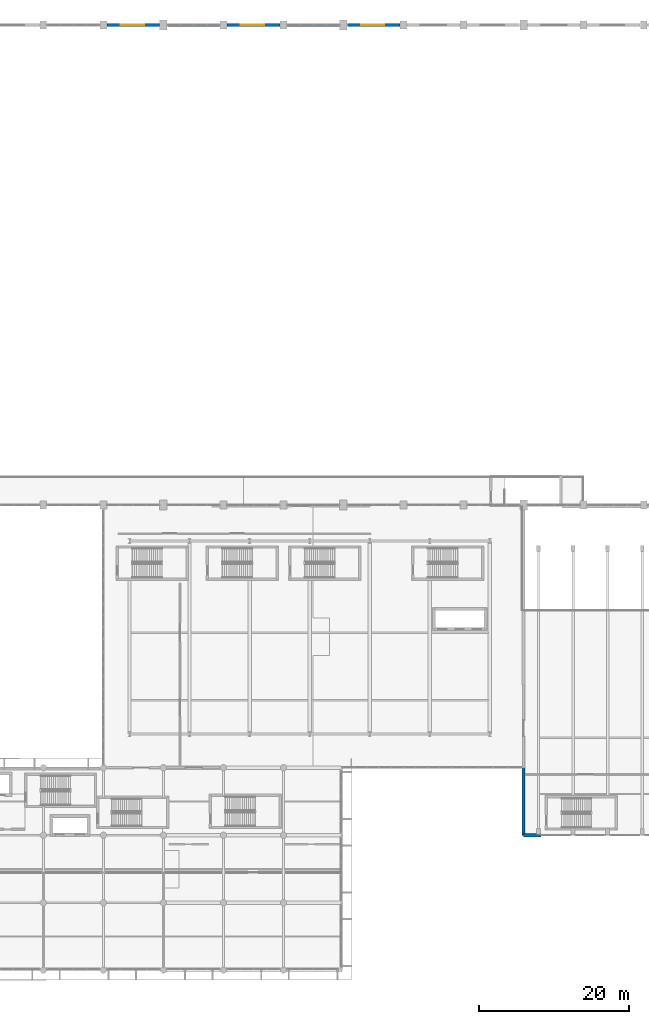
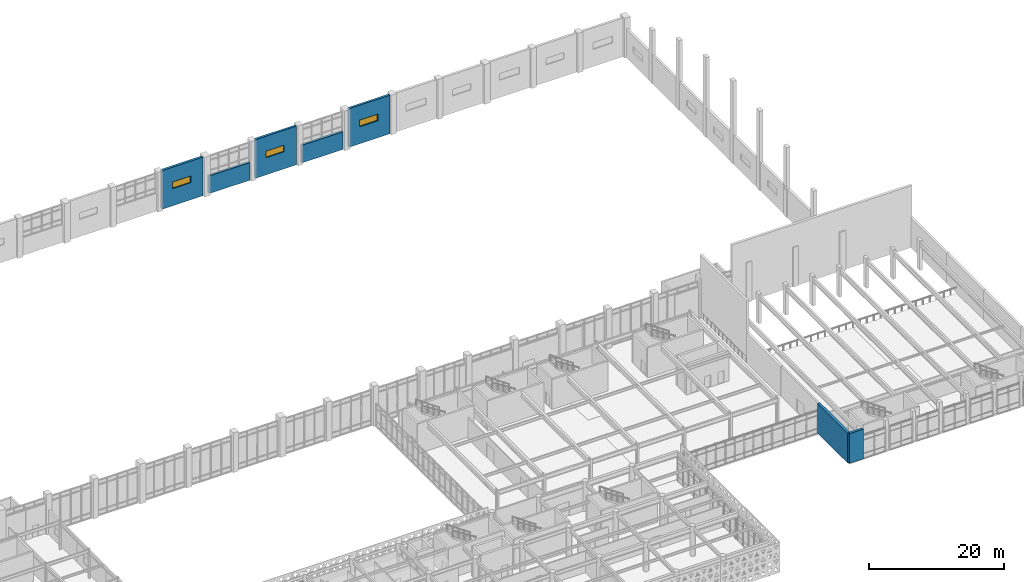
# One storey, part 67 of 84: 7 walls, 3 windows, 3 openings.
"""IFC4 building model written with IfcOpenShell, lengths in metres."""

from ifc_helpers import new_model, si_unit, direction, frame, frame_2d, origin, place, context, subcontext, project, spatial, rectangle, extrude, material, layer, layer_set, type_object, element, fill, save


model = new_model("IFC4")

# Units and contexts
model_context = context("Model", 3, precision=1e-05, world=origin(), true_north=direction((0.0, 1.0)))
body_context = subcontext(model_context, "Body", "Model", "MODEL_VIEW")
ifc_project = project(units=[si_unit("LENGTHUNIT", "METRE"), si_unit("AREAUNIT", "SQUARE_METRE"), si_unit("VOLUMEUNIT", "CUBIC_METRE"), si_unit("PLANEANGLEUNIT", "RADIAN"), si_unit("MASSUNIT", "GRAM", prefix="KILO")], contexts=[model_context])

# Site, building, storey
site_placement = place(None, origin())
site = spatial("IfcSite", under=ifc_project, at=site_placement, CompositionType="ELEMENT")
building_placement = place(site_placement, origin())
building = spatial("IfcBuilding", under=site, at=building_placement, Name="Tlacozan Convention Centre", CompositionType="ELEMENT")
storey_placement = place(building_placement, frame((0.0, 0.0, 6.0)))
storey = spatial("IfcBuildingStorey", under=building, at=storey_placement, Name="L01", CompositionType="ELEMENT", Elevation=6.0)

# Wall, opening, window
ifc_material_1 = material(Name="Concrete C40/50", Category="concrete")
ifc_layer_1 = layer(ifc_material_1, 0.39990234375)
ifc_layer_set_1 = layer_set([ifc_layer_1], Name="Concrete C40/50")
wall_type_1 = type_object("IfcWallType", Name="Cantera Structural Hall Wall 400", PredefinedType="SOLIDWALL", material=ifc_layer_set_1)
wall_1_placement = place(storey_placement, frame((88.465087890625, 126.0, 0.0), z_axis=(0.0, 0.0, 1.0), x_axis=(1.0, 0.0, 0.0)))
wall_1 = element("IfcWall", 1, at=wall_1_placement, inside=storey, type_object=wall_type_1, Name="L01 Cantera Structural Hall Wall 400 36", PredefinedType="SOLIDWALL", context=body_context, shape_type="SweptSolid", body=[
    extrude(rectangle(XDim=7.02001953125, YDim=0.39990234375, at=frame_2d((3.510009765625, 0.0))), origin(), (0.0, 0.0, 1.0), 7.0),
])
opening_1_placement = place(wall_1_placement, frame((1.85009765625, 0.0, 3.10009765625)))
opening_1 = element("IfcOpeningElement", 2, at=opening_1_placement, cuts=wall_1, Name="Opening WN-02", PredefinedType="OPENING", context=body_context, shape_type="SweptSolid", body=[
    extrude(rectangle(XDim=3.10009765625, YDim=1.199951171875, at=frame_2d((1.550048828125, 0.60009765625))), frame((0.0, 0.2099609375, 0.0), z_axis=(0.0, -1.0, 0.0), x_axis=(1.0, 0.0, 0.0)), (0.0, 0.0, 1.0), 0.419921875),
])
ifc_material_2 = material(Name="Solar Control Double Low-E Argon Glazing", Category="glass")
window_type = type_object("IfcWindowType", Name="Exhibition North Clerestory Window 3100x1200", PartitioningType="SINGLE_PANEL", PredefinedType="WINDOW", material=ifc_material_2)
window_1_placement = place(opening_1_placement, origin())
window_1 = element("IfcWindow", 3, at=window_1_placement, inside=storey, type_object=window_type, Name="L01 Exhibition North Clerestory Window 3100x1200 12", OverallHeight=1.199951171875, OverallWidth=3.10009765625, PartitioningType="SINGLE_PANEL", PredefinedType="WINDOW", context=body_context, shape_type="SweptSolid", body=[
    extrude(rectangle(XDim=3.10009765625, YDim=1.199951171875, at=frame_2d((1.550048828125, 0.60009765625))), frame((0.0, 0.030029296875, 0.0), z_axis=(0.0, -1.0, 0.0), x_axis=(1.0, 0.0, 0.0)), (0.0, 0.0, 1.0), 0.06005859375),
])
fill(opening_1, window_1)

# Wall
wall_2_placement = place(storey_placement, frame((96.514892578125, 126.0, 0.0), z_axis=(0.0, 0.0, 1.0), x_axis=(1.0, 0.0, 0.0)))
element("IfcWall", 4, at=wall_2_placement, inside=storey, type_object=wall_type_1, Name="L01 Cantera Structural Hall Wall 400 38", PredefinedType="SOLIDWALL", context=body_context, shape_type="SweptSolid", body=[
    extrude(rectangle(XDim=7.02001953125, YDim=0.39990234375, at=frame_2d((3.510009765625, 0.0))), origin(), (0.0, 0.0, 1.0), 3.199951171875),
])

# Wall, opening, window
wall_3_placement = place(storey_placement, frame((104.465087890625, 126.0, 0.0), z_axis=(0.0, 0.0, 1.0), x_axis=(1.0, 0.0, 0.0)))
wall_3 = element("IfcWall", 5, at=wall_3_placement, inside=storey, type_object=wall_type_1, Name="L01 Cantera Structural Hall Wall 400 40", PredefinedType="SOLIDWALL", context=body_context, shape_type="SweptSolid", body=[
    extrude(rectangle(XDim=7.06982421875, YDim=0.39990234375, at=frame_2d((3.534912109375, 0.0))), origin(), (0.0, 0.0, 1.0), 7.0),
])
opening_2_placement = place(wall_3_placement, frame((1.85009765625, 0.0, 3.10009765625)))
opening_2 = element("IfcOpeningElement", 6, at=opening_2_placement, cuts=wall_3, Name="Opening WN-02", PredefinedType="OPENING", context=body_context, shape_type="SweptSolid", body=[
    extrude(rectangle(XDim=3.10009765625, YDim=1.199951171875, at=frame_2d((1.550048828125, 0.60009765625))), frame((0.0, 0.2099609375, 0.0), z_axis=(0.0, -1.0, 0.0), x_axis=(1.0, 0.0, 0.0)), (0.0, 0.0, 1.0), 0.419921875),
])
window_2_placement = place(opening_2_placement, origin())
window_2 = element("IfcWindow", 7, at=window_2_placement, inside=storey, type_object=window_type, Name="L01 Exhibition North Clerestory Window 3100x1200 14", OverallHeight=1.199951171875, OverallWidth=3.10009765625, PartitioningType="SINGLE_PANEL", PredefinedType="WINDOW", context=body_context, shape_type="SweptSolid", body=[
    extrude(rectangle(XDim=3.10009765625, YDim=1.199951171875, at=frame_2d((1.550048828125, 0.60009765625))), frame((0.0, 0.030029296875, 0.0), z_axis=(0.0, -1.0, 0.0), x_axis=(1.0, 0.0, 0.0)), (0.0, 0.0, 1.0), 0.06005859375),
])
fill(opening_2, window_2)

# Wall
wall_4_placement = place(storey_placement, frame((112.465087890625, 126.0, 0.0), z_axis=(0.0, 0.0, 1.0), x_axis=(1.0, 0.0, 0.0)))
element("IfcWall", 8, at=wall_4_placement, inside=storey, type_object=wall_type_1, Name="L01 Cantera Structural Hall Wall 400 42", PredefinedType="SOLIDWALL", context=body_context, shape_type="SweptSolid", body=[
    extrude(rectangle(XDim=7.02001953125, YDim=0.39990234375, at=frame_2d((3.510009765625, 0.0))), origin(), (0.0, 0.0, 1.0), 3.199951171875),
])

# Wall, opening, window
wall_5_placement = place(storey_placement, frame((120.514892578125, 126.0, 0.0), z_axis=(0.0, 0.0, 1.0), x_axis=(1.0, 0.0, 0.0)))
wall_5 = element("IfcWall", 9, at=wall_5_placement, inside=storey, type_object=wall_type_1, Name="L01 Cantera Structural Hall Wall 400 44", PredefinedType="SOLIDWALL", context=body_context, shape_type="SweptSolid", body=[
    extrude(rectangle(XDim=7.02001953125, YDim=0.39990234375, at=frame_2d((3.510009765625, 0.0))), origin(), (0.0, 0.0, 1.0), 7.0),
])
opening_3_placement = place(wall_5_placement, frame((1.85009765625, 0.0, 3.10009765625)))
opening_3 = element("IfcOpeningElement", 10, at=opening_3_placement, cuts=wall_5, Name="Opening WN-02", PredefinedType="OPENING", context=body_context, shape_type="SweptSolid", body=[
    extrude(rectangle(XDim=3.10009765625, YDim=1.199951171875, at=frame_2d((1.550048828125, 0.60009765625))), frame((0.0, 0.2099609375, 0.0), z_axis=(0.0, -1.0, 0.0), x_axis=(1.0, 0.0, 0.0)), (0.0, 0.0, 1.0), 0.419921875),
])
window_3_placement = place(opening_3_placement, origin())
window_3 = element("IfcWindow", 11, at=window_3_placement, inside=storey, type_object=window_type, Name="L01 Exhibition North Clerestory Window 3100x1200 16", OverallHeight=1.199951171875, OverallWidth=3.10009765625, PartitioningType="SINGLE_PANEL", PredefinedType="WINDOW", context=body_context, shape_type="SweptSolid", body=[
    extrude(rectangle(XDim=3.10009765625, YDim=1.199951171875, at=frame_2d((1.550048828125, 0.60009765625))), frame((0.0, 0.030029296875, 0.0), z_axis=(0.0, -1.0, 0.0), x_axis=(1.0, 0.0, 0.0)), (0.0, 0.0, 1.0), 0.06005859375),
])
fill(opening_3, window_3)

# Walls
ifc_layer_2 = layer(ifc_material_1, 0.429931640625)
ifc_layer_set_2 = layer_set([ifc_layer_2], Name="Concrete C40/50")
wall_type_2 = type_object("IfcWallType", Name="Plenary Acoustic Stone Wall 430", PredefinedType="SOLIDWALL", material=ifc_layer_set_2)
wall_6_placement = place(storey_placement, frame((144.0, 18.0, 0.0), z_axis=(0.0, 0.0, 1.0), x_axis=(1.0, 0.0, 0.0)))
element("IfcWall", 12, at=wall_6_placement, inside=storey, type_object=wall_type_2, Name="L01 Plenary Acoustic Stone Wall 430 175", PredefinedType="SOLIDWALL", context=body_context, shape_type="SweptSolid", body=[
    extrude(rectangle(XDim=2.35009765625, YDim=0.429931640625, at=frame_2d((1.175048828125, 0.0))), origin(), (0.0, 0.0, 1.0), 5.39990234375),
])
wall_7_placement = place(storey_placement, frame((144.0, 18.0, 0.0), z_axis=(0.0, 0.0, 1.0), x_axis=(0.0, 1.0, 0.0)))
element("IfcWall", 13, at=wall_7_placement, inside=storey, type_object=wall_type_2, Name="L01 Plenary Acoustic Stone Wall 430 177", PredefinedType="SOLIDWALL", context=body_context, shape_type="SweptSolid", body=[
    extrude(rectangle(XDim=9.0, YDim=0.429931640625, at=frame_2d((4.5, 0.0))), origin(), (0.0, 0.0, 1.0), 5.39990234375),
])

save(model, "model.ifc")
